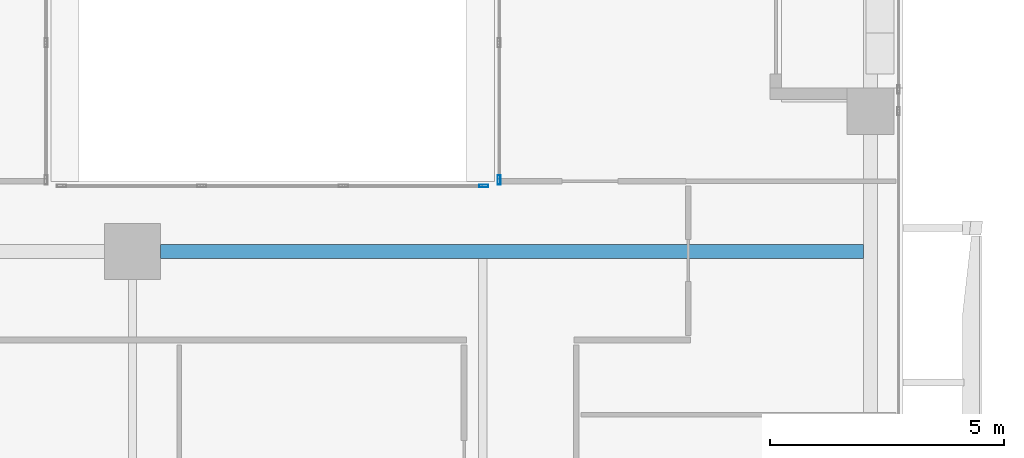
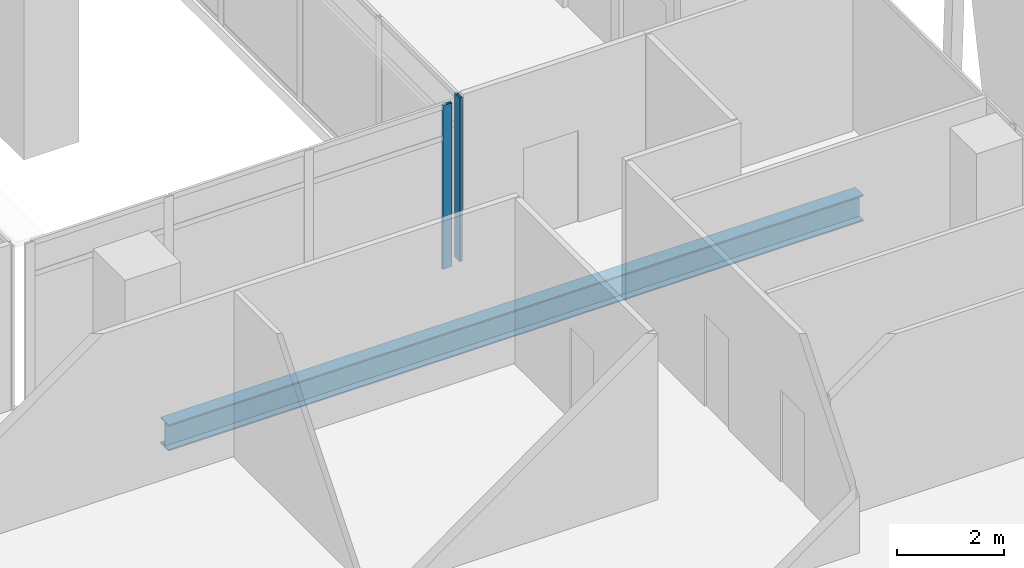
# One storey, part 15 of 40: 2 members, 1 beam, 2 elements without a shape of their own.
"""IFC4 building model written with IfcOpenShell, lengths in metres."""

from ifc_helpers import new_model, si_unit, direction, frame, origin, origin_2d, place, context, subcontext, project, spatial, hollow_rectangle, i_section, extrude, source, transform, mapped, material, material_profile, profile_set, type_object, element, aggregate, save


model = new_model("IFC4")

# Units and contexts
model_context = context("Model", 3, precision=1e-05, world=origin(), true_north=direction((0.0, 1.0)))
body_context = subcontext(model_context, "Body", "Model", "MODEL_VIEW")
ifc_project = project(units=[si_unit("LENGTHUNIT", "METRE"), si_unit("AREAUNIT", "SQUARE_METRE"), si_unit("VOLUMEUNIT", "CUBIC_METRE"), si_unit("PLANEANGLEUNIT", "RADIAN"), si_unit("MASSUNIT", "GRAM", prefix="KILO")], contexts=[model_context])

# Site, building, storey
site_placement = place(None, origin())
site = spatial("IfcSite", under=ifc_project, at=site_placement, CompositionType="ELEMENT")
building_placement = place(site_placement, origin())
building = spatial("IfcBuilding", under=site, at=building_placement, Name="Khomas Fold Tower", CompositionType="ELEMENT")
storey_placement = place(building_placement, frame((0.0, 0.0, 176.699951171875)))
storey = spatial("IfcBuildingStorey", under=building, at=storey_placement, Name="L38", CompositionType="ELEMENT", Elevation=176.699951171875)

# Beam
ifc_material_1 = material(Name="Steel S355", Category="steel")
ifc_material_profile_1 = material_profile(ifc_material_1, i_section(OverallWidth=0.300048828125, OverallDepth=0.60009765625, WebThickness=0.015380859375, FlangeThickness=0.030029296875, at=origin_2d()), Name="HE 600 B")
ifc_profile_set_1 = profile_set([ifc_material_profile_1], Name="Steel S355")
beam_type = type_object("IfcBeamType", Name="HE 600 B beam GB5", PredefinedType="BEAM", material=ifc_profile_set_1)
shared_shape_1 = source(origin(), body_context, "Body", "SweptSolid", [
    extrude(i_section(OverallWidth=0.300048828125, OverallDepth=0.60009765625, WebThickness=0.015380859375, FlangeThickness=0.030029296875, at=origin_2d()), origin(), (0.0, 0.0, 1.0), 15.0498046875),
])
beam_placement = place(storey_placement, frame((35.10009765625, 31.5, -0.550048828125), z_axis=(1.0, 0.0, 0.0), x_axis=(0.0, 1.0, 0.0)))
element("IfcBeam", 1, at=beam_placement, inside=storey, type_object=beam_type, Name="GB5", PredefinedType="BEAM", context=body_context, shape_type="MappedRepresentation", body=[
    mapped(shared_shape_1, transform((0.0, 0.0, 0.0))),
])

# Curtain wall, member
ifc_material_2 = material(Name="Aluminium framed double glazing", Category="aluminium")
curtain_wall_type = type_object("IfcCurtainWallType", Name="Notch glazing GN-CW", PredefinedType="NOTDEFINED", material=ifc_material_2)
curtain_wall_1_placement = place(storey_placement, origin())
curtain_wall_1 = element("IfcCurtainWall", 2, at=curtain_wall_1_placement, inside=storey, type_object=curtain_wall_type, Name="Notch glazing run", PredefinedType="NOTDEFINED")
ifc_material_3 = material(Name="Aluminium", Category="aluminium")
ifc_material_profile_2 = material_profile(ifc_material_3, hollow_rectangle(XDim=0.06005859375, YDim=0.199951171875, WallThickness=0.00390625, at=origin_2d()), Name="Notch glazing mullion GN-CW-M")
ifc_profile_set_2 = profile_set([ifc_material_profile_2], Name="Aluminium")
member_type = type_object("IfcMemberType", Name="Notch glazing mullion GN-CW-M", PredefinedType="MULLION", material=ifc_profile_set_2)
shared_shape_2 = source(origin(), body_context, "Body", "SweptSolid", [
    extrude(hollow_rectangle(XDim=0.06005859375, YDim=0.199951171875, WallThickness=0.00390625, at=origin_2d()), origin(), (0.0, 0.0, 1.0), 3.75),
])
member_1_placement = place(storey_placement, frame((42.35009765625, 33.030029296875, 0.0), z_axis=(0.0, 0.0, 1.0), x_axis=(1.0, 0.0, 0.0)))
member_1 = element("IfcMember", 3, at=member_1_placement, type_object=member_type, Name="GN-CW mullion 7", PredefinedType="MULLION", context=body_context, shape_type="MappedRepresentation", body=[
    mapped(shared_shape_2, transform((0.0, 0.0, 0.0))),
])
aggregate(curtain_wall_1, [member_1])

curtain_wall_2_placement = place(storey_placement, origin())
curtain_wall_2 = element("IfcCurtainWall", 4, at=curtain_wall_2_placement, inside=storey, type_object=curtain_wall_type, Name="Notch glazing run", PredefinedType="NOTDEFINED")
member_2_placement = place(storey_placement, frame((42.02001953125, 32.89990234375, 0.0), z_axis=(0.0, 0.0, 1.0), x_axis=(0.0, -1.0, 0.0)))
member_2 = element("IfcMember", 5, at=member_2_placement, type_object=member_type, Name="GN-CW mullion 1", PredefinedType="MULLION", context=body_context, shape_type="MappedRepresentation", body=[
    mapped(shared_shape_2, transform((0.0, 0.0, 0.0))),
])
aggregate(curtain_wall_2, [member_2])

save(model, "model.ifc")
